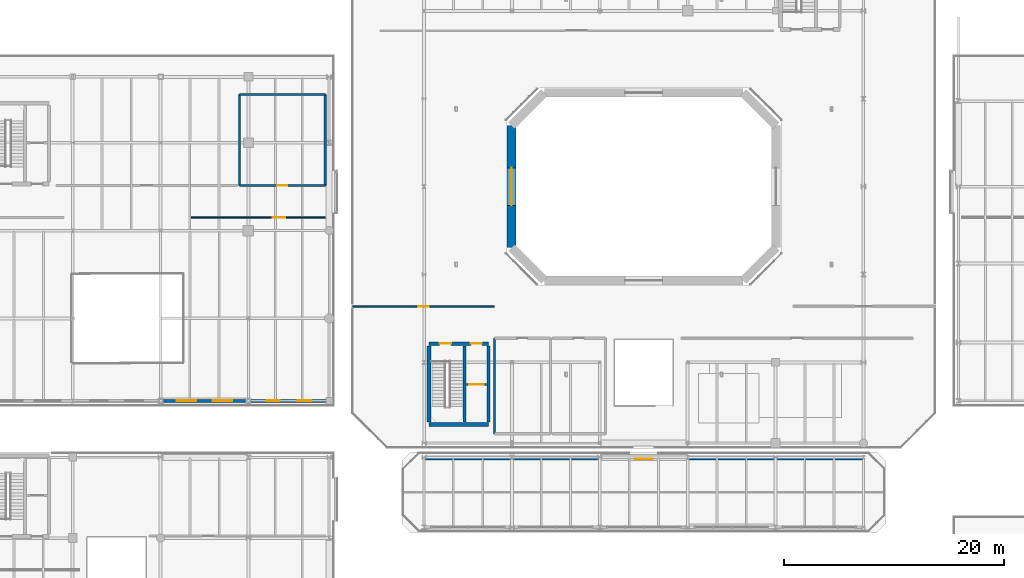
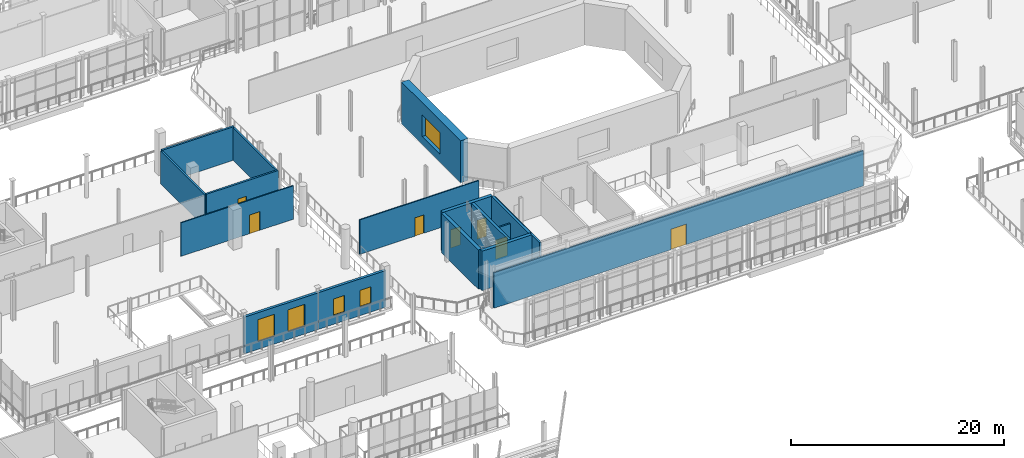
# One storey, part 69 of 93: 17 walls, 7 doors, 5 windows, 12 openings.
"""IFC4 building model written with IfcOpenShell, lengths in metres."""

from ifc_helpers import new_model, si_unit, direction, frame, frame_2d, origin, place, context, subcontext, project, spatial, rectangle, extrude, material, layer, layer_set, type_object, element, fill, save


model = new_model("IFC4")

# Units and contexts
model_context = context("Model", 3, precision=1e-05, world=origin(), true_north=direction((0.0, 1.0)))
body_context = subcontext(model_context, "Body", "Model", "MODEL_VIEW")
ifc_project = project(units=[si_unit("LENGTHUNIT", "METRE"), si_unit("AREAUNIT", "SQUARE_METRE"), si_unit("VOLUMEUNIT", "CUBIC_METRE"), si_unit("PLANEANGLEUNIT", "RADIAN"), si_unit("MASSUNIT", "GRAM", prefix="KILO")], contexts=[model_context])

# Site, building, storey
site_placement = place(None, origin())
site = spatial("IfcSite", under=ifc_project, at=site_placement, CompositionType="ELEMENT")
building_placement = place(site_placement, origin())
building = spatial("IfcBuilding", under=site, at=building_placement, Name="Brisemont Oceanarium", CompositionType="ELEMENT")
storey_placement = place(building_placement, frame((0.0, 0.0, 5.39990234375)))
storey = spatial("IfcBuildingStorey", under=building, at=storey_placement, Name="L01", CompositionType="ELEMENT", Elevation=5.39990234375)

# Wall, openings, windows
ifc_material_1 = material(Name="Beaux-Arts Limestone Cladding Precast Concrete C40/50", Category="masonry")
ifc_layer_1 = layer(ifc_material_1, 0.280029296875)
ifc_layer_set_1 = layer_set([ifc_layer_1], Name="Beaux-Arts Limestone Cladding Precast Concrete C40/50")
wall_type_1 = type_object("IfcWallType", Name="EW-LIME-280", PredefinedType="STANDARD", material=ifc_layer_set_1)
wall_1_placement = place(storey_placement, frame((40.0, 36.5, 0.0), z_axis=(0.0, 0.0, 1.0), x_axis=(1.0, 0.0, 0.0)))
wall_1 = element("IfcWall", 1, at=wall_1_placement, inside=storey, type_object=wall_type_1, Name="Beaux-Arts exterior wall EW-V5WS-L01-4", PredefinedType="STANDARD", context=body_context, shape_type="SweptSolid", body=[
    extrude(rectangle(XDim=8.0, YDim=0.280029296875, at=frame_2d((4.0, 0.0))), origin(), (0.0, 0.0, 1.0), 4.2001953125),
])
opening_1_placement = place(wall_1_placement, frame((1.466796875, 0.0, 0.89990234375)))
opening_1 = element("IfcOpeningElement", 2, at=opening_1_placement, cuts=wall_1, Name="Opening WIN-04", PredefinedType="OPENING", context=body_context, shape_type="SweptSolid", body=[
    extrude(rectangle(XDim=1.800048828125, YDim=2.5, at=frame_2d((0.89990234375, 1.25))), frame((0.0, 0.14990234375, 0.0), z_axis=(0.0, -1.0, 0.0), x_axis=(1.0, 0.0, 0.0)), (0.0, 0.0, 1.0), 0.300048828125),
])
opening_2_placement = place(wall_1_placement, frame((4.7333984375, 0.0, 0.89990234375)))
opening_2 = element("IfcOpeningElement", 3, at=opening_2_placement, cuts=wall_1, Name="Opening WIN-04", PredefinedType="OPENING", context=body_context, shape_type="SweptSolid", body=[
    extrude(rectangle(XDim=1.800048828125, YDim=2.5, at=frame_2d((0.89990234375, 1.25))), frame((0.0, 0.14990234375, 0.0), z_axis=(0.0, -1.0, 0.0), x_axis=(1.0, 0.0, 0.0)), (0.0, 0.0, 1.0), 0.300048828125),
])
ifc_material_2 = material(Name="Insulated Low-E Laminated Glass", Category="glass")
window_type_1 = type_object("IfcWindowType", Name="WIN-BA-1800X2500", PartitioningType="SINGLE_PANEL", PredefinedType="WINDOW", material=ifc_material_2)
window_1_placement = place(opening_1_placement, origin())
window_1 = element("IfcWindow", 4, at=window_1_placement, inside=storey, type_object=window_type_1, Name="WIN-04 facade window 31", OverallHeight=2.5, OverallWidth=1.800048828125, PartitioningType="SINGLE_PANEL", PredefinedType="WINDOW", context=body_context, shape_type="SweptSolid", body=[
    extrude(rectangle(XDim=1.800048828125, YDim=2.5, at=frame_2d((0.89990234375, 1.25))), frame((0.0, 0.030029296875, 0.0), z_axis=(0.0, -1.0, 0.0), x_axis=(1.0, 0.0, 0.0)), (0.0, 0.0, 1.0), 0.06005859375),
])
fill(opening_1, window_1)
window_2_placement = place(opening_2_placement, origin())
window_2 = element("IfcWindow", 5, at=window_2_placement, inside=storey, type_object=window_type_1, Name="WIN-04 facade window 32", OverallHeight=2.5, OverallWidth=1.800048828125, PartitioningType="SINGLE_PANEL", PredefinedType="WINDOW", context=body_context, shape_type="SweptSolid", body=[
    extrude(rectangle(XDim=1.800048828125, YDim=2.5, at=frame_2d((0.89990234375, 1.25))), frame((0.0, 0.030029296875, 0.0), z_axis=(0.0, -1.0, 0.0), x_axis=(1.0, 0.0, 0.0)), (0.0, 0.0, 1.0), 0.06005859375),
])
fill(opening_2, window_2)

wall_2_placement = place(storey_placement, frame((48.0, 36.5, 0.0), z_axis=(0.0, 0.0, 1.0), x_axis=(1.0, 0.0, 0.0)))
wall_2 = element("IfcWall", 6, at=wall_2_placement, inside=storey, type_object=wall_type_1, Name="Beaux-Arts exterior wall EW-V5WS-L01-5", PredefinedType="STANDARD", context=body_context, shape_type="SweptSolid", body=[
    extrude(rectangle(XDim=7.35009765625, YDim=0.280029296875, at=frame_2d((3.675048828125, 0.0))), origin(), (0.0, 0.0, 1.0), 4.2001953125),
])
opening_3_placement = place(wall_2_placement, frame((1.64990234375, 0.0, 1.0)))
opening_3 = element("IfcOpeningElement", 7, at=opening_3_placement, cuts=wall_2, Name="Opening WIN-08", PredefinedType="OPENING", context=body_context, shape_type="SweptSolid", body=[
    extrude(rectangle(XDim=1.199951171875, YDim=1.89990234375, at=frame_2d((0.60009765625, 0.949951171875))), frame((0.0, 0.14990234375, 0.0), z_axis=(0.0, -1.0, 0.0), x_axis=(1.0, 0.0, 0.0)), (0.0, 0.0, 1.0), 0.300048828125),
])
opening_4_placement = place(wall_2_placement, frame((4.5, 0.0, 1.0)))
opening_4 = element("IfcOpeningElement", 8, at=opening_4_placement, cuts=wall_2, Name="Opening WIN-08", PredefinedType="OPENING", context=body_context, shape_type="SweptSolid", body=[
    extrude(rectangle(XDim=1.199951171875, YDim=1.89990234375, at=frame_2d((0.60009765625, 0.949951171875))), frame((0.0, 0.14990234375, 0.0), z_axis=(0.0, -1.0, 0.0), x_axis=(1.0, 0.0, 0.0)), (0.0, 0.0, 1.0), 0.300048828125),
])
ifc_material_3 = material(Name="Insulated Low-E Laminated Glass", Category="glass")
window_type_2 = type_object("IfcWindowType", Name="WIN-BA-1200X1900", PartitioningType="SINGLE_PANEL", PredefinedType="WINDOW", material=ifc_material_3)
window_3_placement = place(opening_3_placement, origin())
window_3 = element("IfcWindow", 9, at=window_3_placement, inside=storey, type_object=window_type_2, Name="WIN-08 facade window 35", OverallHeight=1.89990234375, OverallWidth=1.199951171875, PartitioningType="SINGLE_PANEL", PredefinedType="WINDOW", context=body_context, shape_type="SweptSolid", body=[
    extrude(rectangle(XDim=1.199951171875, YDim=1.89990234375, at=frame_2d((0.60009765625, 0.949951171875))), frame((0.0, 0.030029296875, 0.0), z_axis=(0.0, -1.0, 0.0), x_axis=(1.0, 0.0, 0.0)), (0.0, 0.0, 1.0), 0.06005859375),
])
fill(opening_3, window_3)
window_4_placement = place(opening_4_placement, origin())
window_4 = element("IfcWindow", 10, at=window_4_placement, inside=storey, type_object=window_type_2, Name="WIN-08 facade window 36", OverallHeight=1.89990234375, OverallWidth=1.199951171875, PartitioningType="SINGLE_PANEL", PredefinedType="WINDOW", context=body_context, shape_type="SweptSolid", body=[
    extrude(rectangle(XDim=1.199951171875, YDim=1.89990234375, at=frame_2d((0.60009765625, 0.949951171875))), frame((0.0, 0.030029296875, 0.0), z_axis=(0.0, -1.0, 0.0), x_axis=(1.0, 0.0, 0.0)), (0.0, 0.0, 1.0), 0.06005859375),
])
fill(opening_4, window_4)

# Wall, opening, door
ifc_material_4 = material(Name="Moisture-Resistant Gypsum Steel-Stud Partition", Category="steel")
ifc_layer_2 = layer(ifc_material_4, 0.159912109375)
ifc_layer_set_2 = layer_set([ifc_layer_2], Name="Moisture-Resistant Gypsum Steel-Stud Partition")
wall_type_2 = type_object("IfcWallType", Name="IW-FB-160", PredefinedType="PARTITIONING", material=ifc_layer_set_2)
wall_3_placement = place(storey_placement, frame((67.85009765625, 37.97998046875, 0.0), z_axis=(0.0, 0.0, 1.0), x_axis=(1.0, 0.0, 0.0)))
wall_3 = element("IfcWall", 11, at=wall_3_placement, inside=storey, type_object=wall_type_2, Name="Core C1 L01 lift hoistway front wall", PredefinedType="PARTITIONING", context=body_context, shape_type="SweptSolid", body=[
    extrude(rectangle(XDim=1.83984375, YDim=0.159912109375, at=frame_2d((0.919921875, 0.0))), origin(), (0.0, 0.0, 1.0), 3.60009765625),
])
opening_5_placement = place(wall_3_placement, frame((0.27001953125, 0.0, 0.0)))
opening_5 = element("IfcOpeningElement", 12, at=opening_5_placement, cuts=wall_3, Name="Opening LD-02", PredefinedType="OPENING", context=body_context, shape_type="SweptSolid", body=[
    extrude(rectangle(XDim=1.300048828125, YDim=2.199951171875, at=frame_2d((0.64990234375, 1.10009765625))), frame((0.0, 0.08984375, 0.0), z_axis=(0.0, -1.0, 0.0), x_axis=(1.0, 0.0, 0.0)), (0.0, 0.0, 1.0), 0.179931640625),
])
ifc_material_5 = material(Name="Duplex Stainless Steel EN 1.4462", Category="steel")
door_type_1 = type_object("IfcDoorType", Name="DR-LIFT-1300X2200", OperationType="NOTDEFINED", PredefinedType="DOOR", material=ifc_material_5)
door_1_placement = place(opening_5_placement, origin())
door_1 = element("IfcDoor", 13, at=door_1_placement, inside=storey, type_object=door_type_1, Name="Lift landing door LF-01 L01", OperationType="SLIDING_TO_LEFT", OverallHeight=2.199951171875, OverallWidth=1.300048828125, PredefinedType="DOOR", context=body_context, shape_type="SweptSolid", body=[
    extrude(rectangle(XDim=1.300048828125, YDim=2.199951171875, at=frame_2d((0.64990234375, 1.10009765625))), frame((0.0, 0.02490234375, 0.0), z_axis=(0.0, -1.0, 0.0), x_axis=(1.0, 0.0, 0.0)), (0.0, 0.0, 1.0), 0.050048828125),
])
fill(opening_5, door_1)

wall_4_placement = place(storey_placement, frame((64.0, 31.199951171875, 0.0), z_axis=(0.0, 0.0, 1.0), x_axis=(1.0, 0.0, 0.0)))
wall_4 = element("IfcWall", 14, at=wall_4_placement, inside=storey, type_object=wall_type_2, Name="Cour d'Honneur Belvedere Exhibit Gallery corridor partition", PredefinedType="PARTITIONING", context=body_context, shape_type="SweptSolid", body=[
    extrude(rectangle(XDim=40.0, YDim=0.159912109375, at=frame_2d((20.0, 0.0))), origin(), (0.0, 0.0, 1.0), 4.047119140625),
])
opening_6_placement = place(wall_4_placement, frame((19.175048828125, 0.0, 0.0)))
opening_6 = element("IfcOpeningElement", 15, at=opening_6_placement, cuts=wall_4, Name="Opening GD-02", PredefinedType="OPENING", context=body_context, shape_type="SweptSolid", body=[
    extrude(rectangle(XDim=1.64990234375, YDim=2.35009765625, at=frame_2d((0.824951171875, 1.175048828125))), frame((0.0, 0.08984375, 0.0), z_axis=(0.0, -1.0, 0.0), x_axis=(1.0, 0.0, 0.0)), (0.0, 0.0, 1.0), 0.179931640625),
])
ifc_material_6 = material(Name="Patinated Architectural Bronze C38500")
door_type_2 = type_object("IfcDoorType", Name="DR-GAL-1650X2350", OperationType="NOTDEFINED", PredefinedType="DOOR", material=ifc_material_6)
door_2_placement = place(opening_6_placement, origin())
door_2 = element("IfcDoor", 16, at=door_2_placement, inside=storey, type_object=door_type_2, Name="GD-02 door to Cour d'Honneur Belvedere Exhibit Gallery", OperationType="SINGLE_SWING_RIGHT", OverallHeight=2.35009765625, OverallWidth=1.64990234375, PredefinedType="DOOR", context=body_context, shape_type="SweptSolid", body=[
    extrude(rectangle(XDim=1.64990234375, YDim=2.35009765625, at=frame_2d((0.824951171875, 1.175048828125))), frame((0.0, 0.02490234375, 0.0), z_axis=(0.0, -1.0, 0.0), x_axis=(1.0, 0.0, 0.0)), (0.0, 0.0, 1.0), 0.050048828125),
])
fill(opening_6, door_2)

ifc_material_7 = material(Name="Moisture-Resistant Gypsum Steel-Stud Partition", Category="steel")
ifc_layer_3 = layer(ifc_material_7, 0.1201171875)
ifc_layer_set_3 = layer_set([ifc_layer_3], Name="Moisture-Resistant Gypsum Steel-Stud Partition")
wall_type_3 = type_object("IfcWallType", Name="IW-PART-120", PredefinedType="PARTITIONING", material=ifc_layer_set_3)
wall_5_placement = place(storey_placement, frame((57.5, 45.10009765625, 0.0), z_axis=(0.0, 0.0, 1.0), x_axis=(1.0, 0.0, 0.0)))
wall_5 = element("IfcWall", 17, at=wall_5_placement, inside=storey, type_object=wall_type_3, Name="Ocean Tank Shark Overlook Exhibit Gallery corridor partition", PredefinedType="PARTITIONING", context=body_context, shape_type="SweptSolid", body=[
    extrude(rectangle(XDim=12.89990234375, YDim=0.1201171875, at=frame_2d((6.449951171875, 0.0))), origin(), (0.0, 0.0, 1.0), 3.947021484375),
])
opening_7_placement = place(wall_5_placement, frame((5.969970703125, 0.0, 0.0)))
opening_7 = element("IfcOpeningElement", 18, at=opening_7_placement, cuts=wall_5, Name="Opening D-02", PredefinedType="OPENING", context=body_context, shape_type="SweptSolid", body=[
    extrude(rectangle(XDim=0.9599609375, YDim=2.10009765625, at=frame_2d((0.47998046875, 1.050048828125))), frame((0.0, 0.070068359375, 0.0), z_axis=(0.0, -1.0, 0.0), x_axis=(1.0, 0.0, 0.0)), (0.0, 0.0, 1.0), 0.14013671875),
])
ifc_material_8 = material(Name="FSC White Oak Solid-Core Fire Door")
door_type_3 = type_object("IfcDoorType", Name="DR-RM-960X2100", OperationType="NOTDEFINED", PredefinedType="DOOR", material=ifc_material_8)
door_3_placement = place(opening_7_placement, origin())
door_3 = element("IfcDoor", 19, at=door_3_placement, inside=storey, type_object=door_type_3, Name="D-02 door to Ocean Tank Shark Overlook Exhibit Gallery", OperationType="SINGLE_SWING_LEFT", OverallHeight=2.10009765625, OverallWidth=0.9599609375, PredefinedType="DOOR", context=body_context, shape_type="SweptSolid", body=[
    extrude(rectangle(XDim=0.9599609375, YDim=2.10009765625, at=frame_2d((0.47998046875, 1.050048828125))), frame((0.0, 0.02490234375, 0.0), z_axis=(0.0, -1.0, 0.0), x_axis=(1.0, 0.0, 0.0)), (0.0, 0.0, 1.0), 0.050048828125),
])
fill(opening_7, door_3)

wall_6_placement = place(storey_placement, frame((42.800048828125, 53.199951171875, 0.0), z_axis=(0.0, 0.0, 1.0), x_axis=(1.0, 0.0, 0.0)))
wall_6 = element("IfcWall", 20, at=wall_6_placement, inside=storey, type_object=wall_type_3, Name="Sea Otter Cove Exhibit Gallery corridor partition", PredefinedType="PARTITIONING", context=body_context, shape_type="SweptSolid", body=[
    extrude(rectangle(XDim=12.199951171875, YDim=0.1201171875, at=frame_2d((6.10009765625, 0.0))), origin(), (0.0, 0.0, 1.0), 3.837158203125),
])
opening_8_placement = place(wall_6_placement, frame((7.419189453125, 0.0, 0.0)))
opening_8 = element("IfcOpeningElement", 21, at=opening_8_placement, cuts=wall_6, Name="Opening LB-03", PredefinedType="OPENING", context=body_context, shape_type="SweptSolid", body=[
    extrude(rectangle(XDim=1.1201171875, YDim=2.14990234375, at=frame_2d((0.56005859375, 1.074951171875))), frame((0.0, 0.070068359375, 0.0), z_axis=(0.0, -1.0, 0.0), x_axis=(1.0, 0.0, 0.0)), (0.0, 0.0, 1.0), 0.14013671875),
])
ifc_material_9 = material(Name="Duplex Stainless Steel EN 1.4462", Category="steel")
door_type_4 = type_object("IfcDoorType", Name="DR-LAB-1120X2150", OperationType="NOTDEFINED", PredefinedType="DOOR", material=ifc_material_9)
door_4_placement = place(opening_8_placement, origin())
door_4 = element("IfcDoor", 22, at=door_4_placement, inside=storey, type_object=door_type_4, Name="LB-03 door to Sea Otter Cove Exhibit Gallery", OperationType="SINGLE_SWING_LEFT", OverallHeight=2.14990234375, OverallWidth=1.1201171875, PredefinedType="DOOR", context=body_context, shape_type="SweptSolid", body=[
    extrude(rectangle(XDim=1.1201171875, YDim=2.14990234375, at=frame_2d((0.56005859375, 1.074951171875))), frame((0.0, 0.02490234375, 0.0), z_axis=(0.0, -1.0, 0.0), x_axis=(1.0, 0.0, 0.0)), (0.0, 0.0, 1.0), 0.050048828125),
])
fill(opening_8, door_4)

# Wall
ifc_material_10 = material(Name="Cementitious Tile-Backer Plumbing Wall")
ifc_layer_4 = layer(ifc_material_10, 0.199951171875)
ifc_layer_set_4 = layer_set([ifc_layer_4], Name="Cementitious Tile-Backer Plumbing Wall")
wall_type_4 = type_object("IfcWallType", Name="IW-PLUMB-200", PredefinedType="PLUMBINGWALL", material=ifc_layer_set_4)
wall_7_placement = place(storey_placement, frame((70.39990234375, 33.5, 0.0), z_axis=(0.0, 0.0, 1.0), x_axis=(0.0, 1.0, 0.0)))
element("IfcWall", 23, at=wall_7_placement, inside=storey, type_object=wall_type_4, Name="Accessible WC enclosure wall W", PredefinedType="PLUMBINGWALL", context=body_context, shape_type="SweptSolid", body=[
    extrude(rectangle(XDim=8.699951171875, YDim=0.199951171875, at=frame_2d((4.35009765625, 0.0))), origin(), (0.0, 0.0, 1.0), 3.8720703125),
])

# Wall, opening, door
wall_8_placement = place(storey_placement, frame((47.199951171875, 56.10009765625, 0.0), z_axis=(0.0, 0.0, 1.0), x_axis=(1.0, 0.0, 0.0)))
wall_8 = element("IfcWall", 24, at=wall_8_placement, inside=storey, type_object=wall_type_4, Name="Public Restroom corridor partition", PredefinedType="PLUMBINGWALL", context=body_context, shape_type="SweptSolid", body=[
    extrude(rectangle(XDim=7.800048828125, YDim=0.199951171875, at=frame_2d((3.89990234375, 0.0))), origin(), (0.0, 0.0, 1.0), 3.837158203125),
])
opening_9_placement = place(wall_8_placement, frame((3.445068359375, 0.0, 0.0)))
opening_9 = element("IfcOpeningElement", 25, at=opening_9_placement, cuts=wall_8, Name="Opening D-03", PredefinedType="OPENING", context=body_context, shape_type="SweptSolid", body=[
    extrude(rectangle(XDim=0.909912109375, YDim=2.10009765625, at=frame_2d((0.455078125, 1.050048828125))), frame((0.0, 0.10986328125, 0.0), z_axis=(0.0, -1.0, 0.0), x_axis=(1.0, 0.0, 0.0)), (0.0, 0.0, 1.0), 0.219970703125),
])
ifc_material_11 = material(Name="FSC White Oak Solid-Core Fire Door")
door_type_5 = type_object("IfcDoorType", Name="DR-WC-910X2100", OperationType="NOTDEFINED", PredefinedType="DOOR", material=ifc_material_11)
door_5_placement = place(opening_9_placement, origin())
door_5 = element("IfcDoor", 26, at=door_5_placement, inside=storey, type_object=door_type_5, Name="D-03 door to Public Restroom", OperationType="SINGLE_SWING_LEFT", OverallHeight=2.10009765625, OverallWidth=0.909912109375, PredefinedType="DOOR", context=body_context, shape_type="SweptSolid", body=[
    extrude(rectangle(XDim=0.909912109375, YDim=2.10009765625, at=frame_2d((0.455078125, 1.050048828125))), frame((0.0, 0.02490234375, 0.0), z_axis=(0.0, -1.0, 0.0), x_axis=(1.0, 0.0, 0.0)), (0.0, 0.0, 1.0), 0.050048828125),
])
fill(opening_9, door_5)

# Walls
wall_9_placement = place(storey_placement, frame((47.199951171875, 64.39990234375, 0.0), z_axis=(0.0, 0.0, 1.0), x_axis=(1.0, 0.0, 0.0)))
element("IfcWall", 27, at=wall_9_placement, inside=storey, type_object=wall_type_4, Name="Public Restroom enclosure wall N", PredefinedType="PLUMBINGWALL", context=body_context, shape_type="SweptSolid", body=[
    extrude(rectangle(XDim=7.800048828125, YDim=0.199951171875, at=frame_2d((3.89990234375, 0.0))), origin(), (0.0, 0.0, 1.0), 3.842041015625),
])
wall_10_placement = place(storey_placement, frame((47.199951171875, 56.10009765625, 0.0), z_axis=(0.0, 0.0, 1.0), x_axis=(0.0, 1.0, 0.0)))
element("IfcWall", 28, at=wall_10_placement, inside=storey, type_object=wall_type_4, Name="Public Restroom enclosure wall W", PredefinedType="PLUMBINGWALL", context=body_context, shape_type="SweptSolid", body=[
    extrude(rectangle(XDim=8.2998046875, YDim=0.199951171875, at=frame_2d((4.14990234375, 0.0))), origin(), (0.0, 0.0, 1.0), 3.758056640625),
])
wall_11_placement = place(storey_placement, frame((55.0, 56.10009765625, 0.0), z_axis=(0.0, 0.0, 1.0), x_axis=(0.0, 1.0, 0.0)))
element("IfcWall", 29, at=wall_11_placement, inside=storey, type_object=wall_type_4, Name="Public Restroom enclosure wall E", PredefinedType="PLUMBINGWALL", context=body_context, shape_type="SweptSolid", body=[
    extrude(rectangle(XDim=8.2998046875, YDim=0.199951171875, at=frame_2d((4.14990234375, 0.0))), origin(), (0.0, 0.0, 1.0), 3.72021484375),
])
ifc_material_12 = material(Name="Concrete C40/50", Category="concrete")
ifc_layer_5 = layer(ifc_material_12, 0.260009765625)
ifc_layer_set_5 = layer_set([ifc_layer_5], Name="Concrete C40/50")
wall_type_5 = type_object("IfcWallType", Name="SW-SHAFT-260", PredefinedType="SHEAR", material=ifc_layer_set_5)
for number, where, z_axis, x_axis, name in (
    (30, (69.85009765625, 34.550048828125, 0.0), (0.0, 0.0, 1.0), (0.0, 1.0, 0.0), "Core C1 L01 E RC shear wall"),
    (31, (67.669921875, 34.550048828125, 0.0), (0.0, 0.0, 1.0), (0.0, 1.0, 0.0), "Core C1 L01 MID RC shear wall"),
):
    element("IfcWall", number, at=place(storey_placement, frame(where, z_axis=z_axis, x_axis=x_axis)), inside=storey, type_object=wall_type_5, Name=name, PredefinedType="SHEAR", context=body_context, shape_type="SweptSolid", body=[
        extrude(rectangle(XDim=6.949951171875, YDim=0.260009765625, at=frame_2d((3.47509765625, 0.0))), origin(), (0.0, 0.0, 1.0), 4.510009765625),
    ])

# Wall, openings, doors
ifc_material_13 = material(Name="Concrete C40/50", Category="concrete")
ifc_layer_6 = layer(ifc_material_13, 0.35009765625)
ifc_layer_set_6 = layer_set([ifc_layer_6], Name="Concrete C40/50")
wall_type_6 = type_object("IfcWallType", Name="SW-STAIR-350", PredefinedType="SHEAR", material=ifc_layer_set_6)
wall_12_placement = place(storey_placement, frame((64.449951171875, 41.699951171875, 0.0), z_axis=(0.0, 0.0, 1.0), x_axis=(1.0, 0.0, 0.0)))
wall_12 = element("IfcWall", 32, at=wall_12_placement, inside=storey, type_object=wall_type_6, Name="Core C1 L01 corridor RC shear wall", PredefinedType="SHEAR", context=body_context, shape_type="SweptSolid", body=[
    extrude(rectangle(XDim=5.400146484375, YDim=0.35009765625, at=frame_2d((2.7001953125, 0.0))), origin(), (0.0, 0.0, 1.0), 4.510009765625),
])
opening_10_placement = place(wall_12_placement, frame((0.949951171875, 0.0, 0.0)))
opening_10 = element("IfcOpeningElement", 33, at=opening_10_placement, cuts=wall_12, Name="Opening SD-02", PredefinedType="OPENING", context=body_context, shape_type="SweptSolid", body=[
    extrude(rectangle(XDim=1.050048828125, YDim=2.10009765625, at=frame_2d((0.52490234375, 1.050048828125))), frame((0.0, 0.18505859375, 0.0), z_axis=(0.0, -1.0, 0.0), x_axis=(1.0, 0.0, 0.0)), (0.0, 0.0, 1.0), 0.3701171875),
])
opening_11_placement = place(wall_12_placement, frame((3.800048828125, 0.0, 0.0)))
opening_11 = element("IfcOpeningElement", 34, at=opening_11_placement, cuts=wall_12, Name="Opening FD90-2", PredefinedType="OPENING", context=body_context, shape_type="SweptSolid", body=[
    extrude(rectangle(XDim=1.0, YDim=2.14990234375, at=frame_2d((0.5, 1.074951171875))), frame((0.0, 0.18505859375, 0.0), z_axis=(0.0, -1.0, 0.0), x_axis=(1.0, 0.0, 0.0)), (0.0, 0.0, 1.0), 0.3701171875),
])
ifc_material_14 = material(Name="FSC White Oak Solid-Core Fire Door")
door_type_6 = type_object("IfcDoorType", Name="DR-LOB-1000X2150", OperationType="NOTDEFINED", PredefinedType="DOOR", material=ifc_material_14)
door_6_placement = place(opening_11_placement, origin())
door_6 = element("IfcDoor", 35, at=door_6_placement, inside=storey, type_object=door_type_6, Name="Lift lobby door C1 L01", OperationType="SINGLE_SWING_RIGHT", OverallHeight=2.14990234375, OverallWidth=1.0, PredefinedType="DOOR", context=body_context, shape_type="SweptSolid", body=[
    extrude(rectangle(XDim=1.0, YDim=2.14990234375, at=frame_2d((0.5, 1.074951171875))), frame((0.0, 0.02490234375, 0.0), z_axis=(0.0, -1.0, 0.0), x_axis=(1.0, 0.0, 0.0)), (0.0, 0.0, 1.0), 0.050048828125),
])
fill(opening_11, door_6)
ifc_material_15 = material(Name="Duplex Stainless Steel EN 1.4462", Category="steel")
door_type_7 = type_object("IfcDoorType", Name="DR-STAIR-1050X2100", OperationType="NOTDEFINED", PredefinedType="DOOR", material=ifc_material_15)
door_7_placement = place(opening_10_placement, origin())
door_7 = element("IfcDoor", 36, at=door_7_placement, inside=storey, type_object=door_type_7, Name="Exit stair door ST-01 L01", OperationType="SINGLE_SWING_LEFT", OverallHeight=2.10009765625, OverallWidth=1.050048828125, PredefinedType="DOOR", context=body_context, shape_type="SweptSolid", body=[
    extrude(rectangle(XDim=1.050048828125, YDim=2.10009765625, at=frame_2d((0.52490234375, 1.050048828125))), frame((0.0, 0.02490234375, 0.0), z_axis=(0.0, -1.0, 0.0), x_axis=(1.0, 0.0, 0.0)), (0.0, 0.0, 1.0), 0.050048828125),
])
fill(opening_10, door_7)

# Walls
wall_13_placement = place(storey_placement, frame((64.449951171875, 34.35009765625, 0.0), z_axis=(0.0, 0.0, 1.0), x_axis=(1.0, 0.0, 0.0)))
element("IfcWall", 37, at=wall_13_placement, inside=storey, type_object=wall_type_6, Name="Core C1 L01 BCK RC shear wall", PredefinedType="SHEAR", context=body_context, shape_type="SweptSolid", body=[
    extrude(rectangle(XDim=5.400146484375, YDim=0.35009765625, at=frame_2d((2.7001953125, 0.0))), origin(), (0.0, 0.0, 1.0), 4.510009765625),
])
wall_14_placement = place(storey_placement, frame((64.449951171875, 34.550048828125, 0.0), z_axis=(0.0, 0.0, 1.0), x_axis=(0.0, 1.0, 0.0)))
element("IfcWall", 38, at=wall_14_placement, inside=storey, type_object=wall_type_6, Name="Core C1 L01 W RC shear wall", PredefinedType="SHEAR", context=body_context, shape_type="SweptSolid", body=[
    extrude(rectangle(XDim=6.949951171875, YDim=0.35009765625, at=frame_2d((3.47509765625, 0.0))), origin(), (0.0, 0.0, 1.0), 4.510009765625),
])

# Wall, opening, window
ifc_material_16 = material(Name="Concrete C40/50", Category="concrete")
ifc_layer_7 = layer(ifc_material_16, 0.800048828125)
ifc_layer_set_7 = layer_set([ifc_layer_7], Name="Concrete C40/50")
wall_type_7 = type_object("IfcWallType", Name="SW-TANK-800", PredefinedType="SOLIDWALL", material=ifc_layer_set_7)
wall_15_placement = place(storey_placement, frame((71.949951171875, 61.550048828125, 0.0), z_axis=(0.0, 0.0, 1.0), x_axis=(0.0, -1.0, 0.0)))
wall_15 = element("IfcWall", 39, at=wall_15_placement, inside=storey, type_object=wall_type_7, Name="V4 Ocean Tank L01 vessel wall 7", PredefinedType="SOLIDWALL", context=body_context, shape_type="SweptSolid", body=[
    extrude(rectangle(XDim=11.10009765625, YDim=0.800048828125, at=frame_2d((5.550048828125, 0.0))), origin(), (0.0, 0.0, 1.0), 4.800048828125),
])
opening_12_placement = place(wall_15_placement, frame((3.85009765625, 0.0, 0.89990234375)))
opening_12 = element("IfcOpeningElement", 40, at=opening_12_placement, cuts=wall_15, Name="Opening VW-03", PredefinedType="OPENING", context=body_context, shape_type="SweptSolid", body=[
    extrude(rectangle(XDim=3.39990234375, YDim=2.5, at=frame_2d((1.699951171875, 1.25))), frame((0.0, 0.409912109375, 0.0), z_axis=(0.0, -1.0, 0.0), x_axis=(1.0, 0.0, 0.0)), (0.0, 0.0, 1.0), 0.820068359375),
])
ifc_material_17 = material(Name="Cast Polymethyl Methacrylate PMMA")
window_type_3 = type_object("IfcWindowType", Name="WIN-PMMA-3400X2500", PartitioningType="SINGLE_PANEL", PredefinedType="WINDOW", material=ifc_material_17)
window_5_placement = place(opening_12_placement, origin())
window_5 = element("IfcWindow", 41, at=window_5_placement, inside=storey, type_object=window_type_3, Name="VW-03 cast-PMMA ocean tank viewing window L01.7", OverallHeight=2.5, OverallWidth=3.39990234375, PartitioningType="SINGLE_PANEL", PredefinedType="WINDOW", context=body_context, shape_type="SweptSolid", body=[
    extrude(rectangle(XDim=3.39990234375, YDim=2.5, at=frame_2d((1.699951171875, 1.25))), frame((0.0, 0.030029296875, 0.0), z_axis=(0.0, -1.0, 0.0), x_axis=(1.0, 0.0, 0.0)), (0.0, 0.0, 1.0), 0.06005859375),
])
fill(opening_12, window_5)

save(model, "model.ifc")
